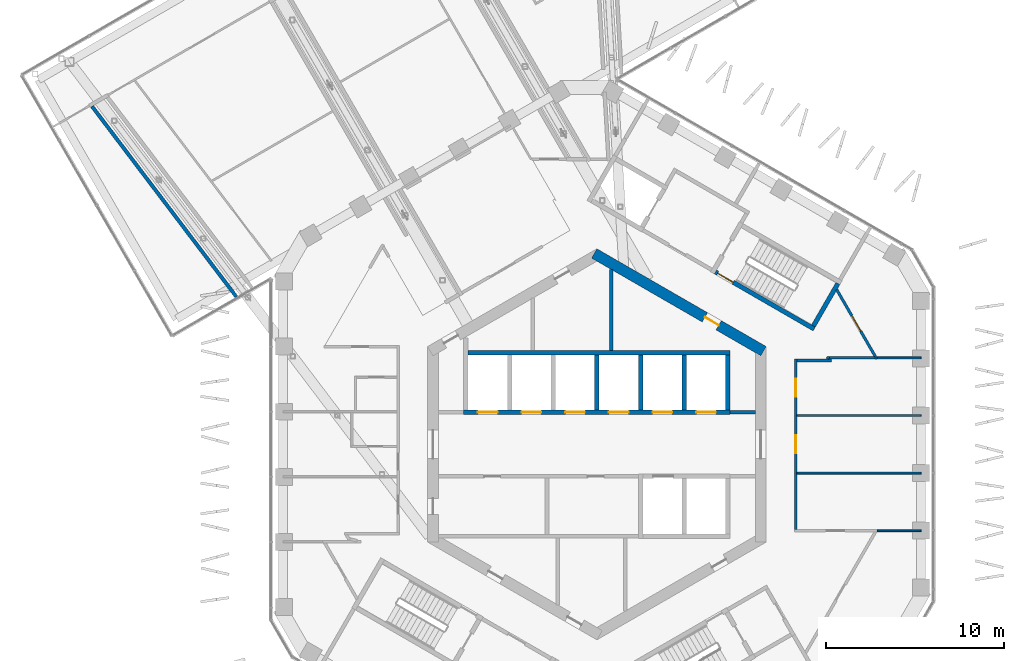
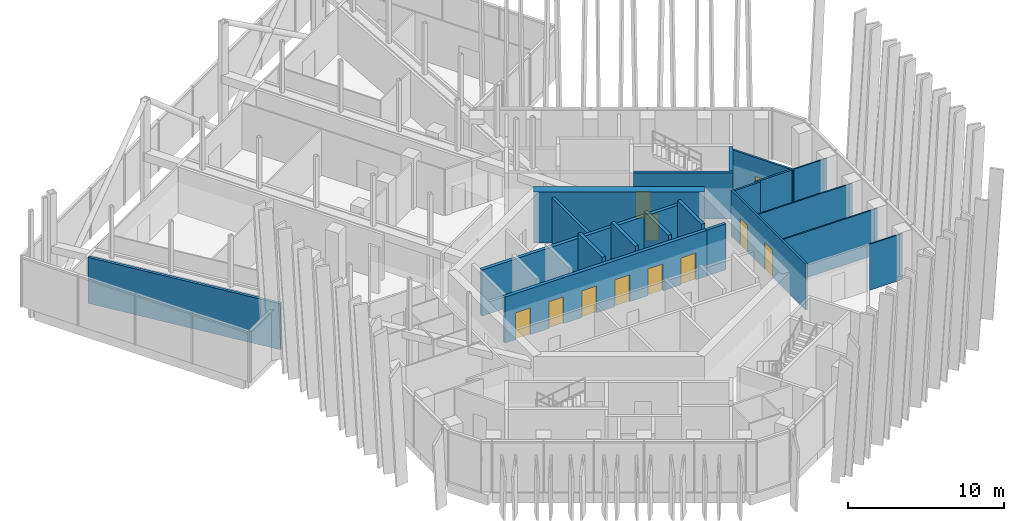
# One storey, part 20 of 29: 21 walls, 11 doors, 11 openings.
"""IFC4 building model written with IfcOpenShell, lengths in metres."""

from ifc_helpers import new_model, si_unit, direction, frame, frame_2d, origin, place, context, subcontext, project, spatial, rectangle, extrude, material, layer, layer_set, type_object, element, fill, save


model = new_model("IFC4")

# Units and contexts
model_context = context("Model", 3, precision=1e-05, world=origin(), true_north=direction((0.0, 1.0)))
body_context = subcontext(model_context, "Body", "Model", "MODEL_VIEW")
ifc_project = project(units=[si_unit("LENGTHUNIT", "METRE"), si_unit("AREAUNIT", "SQUARE_METRE"), si_unit("VOLUMEUNIT", "CUBIC_METRE"), si_unit("PLANEANGLEUNIT", "RADIAN"), si_unit("MASSUNIT", "GRAM", prefix="KILO")], contexts=[model_context])

# Site, building, storey
site_placement = place(None, origin())
site = spatial("IfcSite", under=ifc_project, at=site_placement, CompositionType="ELEMENT")
building_placement = place(site_placement, origin())
building = spatial("IfcBuilding", under=site, at=building_placement, Name="Ayvan Gate Tower", CompositionType="ELEMENT")
storey_placement = place(building_placement, frame((0.0, 0.0, 186.699951171875)))
storey = spatial("IfcBuildingStorey", under=building, at=storey_placement, Name="L50", CompositionType="ELEMENT", Elevation=186.699951171875)

# Wall, opening, door
ifc_material_1 = material(Name="Concrete C60/75", Category="concrete")
ifc_layer_1 = layer(ifc_material_1, 0.60009765625)
ifc_layer_set_1 = layer_set([ifc_layer_1], Name="Concrete C60/75")
wall_type_1 = type_object("IfcWallType", Name="Core wall 600 C60/75", PredefinedType="SHEAR", material=ifc_layer_set_1)
wall_1_placement = place(storey_placement, frame((9.35009765625, 5.22509765625, 0.0), z_axis=(0.0, 0.0, 1.0), x_axis=(-0.866023993627, 0.500002442456, 0.0)))
wall_1 = element("IfcWall", 1, at=wall_1_placement, inside=storey, type_object=wall_type_1, Name="CORE-L50-1", PredefinedType="SHEAR", context=body_context, shape_type="SweptSolid", body=[
    extrude(rectangle(XDim=10.9697265625, YDim=0.60009765625, at=frame_2d((5.48486328125, 0.0))), origin(), (0.0, 0.0, 1.0), 4.0),
])
opening_1_placement = place(wall_1_placement, frame((2.90380859375, 0.0, 0.0)))
opening_1 = element("IfcOpeningElement", 2, at=opening_1_placement, cuts=wall_1, Name="Opening L50-D50", PredefinedType="OPENING", context=body_context, shape_type="SweptSolid", body=[
    extrude(rectangle(XDim=0.89990234375, YDim=2.10009765625, at=frame_2d((0.449951171875, 1.050048828125))), frame((0.0, 0.31005859375, 0.0), z_axis=(0.0, -1.0, 0.0), x_axis=(1.0, 0.0, 0.0)), (0.0, 0.0, 1.0), 0.6201171875),
])
ifc_material_2 = material(Name="Timber door leaf", Category="wood")
door_type_1 = type_object("IfcDoorType", Name="DT-900", OperationType="NOTDEFINED", PredefinedType="DOOR", material=ifc_material_2)
door_1_placement = place(opening_1_placement, origin())
door_1 = element("IfcDoor", 3, at=door_1_placement, inside=storey, type_object=door_type_1, Name="CD-L50-50", OperationType="SINGLE_SWING_RIGHT", OverallHeight=2.10009765625, OverallWidth=0.89990234375, PredefinedType="DOOR", context=body_context, shape_type="SweptSolid", body=[
    extrude(rectangle(XDim=0.89990234375, YDim=2.10009765625, at=frame_2d((0.449951171875, 1.050048828125))), frame((0.0, 0.02490234375, 0.0), z_axis=(0.0, -1.0, 0.0), x_axis=(1.0, 0.0, 0.0)), (0.0, 0.0, 1.0), 0.050048828125),
])
fill(opening_1, door_1)

# Wall, openings, doors
ifc_material_3 = material(Name="Plasterboard on steel stud", Category="steel")
ifc_layer_2 = layer(ifc_material_3, 0.14990234375)
ifc_layer_set_2 = layer_set([ifc_layer_2], Name="Plasterboard on steel stud")
wall_type_2 = type_object("IfcWallType", Name="WT-CORR-150", PredefinedType="PARTITIONING", material=ifc_layer_set_2)
wall_2_placement = place(storey_placement, frame((11.14990234375, -4.774658203125, 0.0), z_axis=(0.0, 0.0, 1.0), x_axis=(0.0, 1.0, 0.0)))
wall_2 = element("IfcWall", 4, at=wall_2_placement, inside=storey, type_object=wall_type_2, Name="IW-L50-119", PredefinedType="PARTITIONING", context=body_context, shape_type="SweptSolid", body=[
    extrude(rectangle(XDim=9.54931640625, YDim=0.14990234375, at=frame_2d((4.774658203125, 0.0))), origin(), (0.0, 0.0, 1.0), 3.60009765625),
])
opening_2_placement = place(wall_2_placement, frame((4.274658203125, 0.0, 0.0)))
opening_2 = element("IfcOpeningElement", 5, at=opening_2_placement, cuts=wall_2, Name="Opening L50-D22", PredefinedType="OPENING", context=body_context, shape_type="SweptSolid", body=[
    extrude(rectangle(XDim=1.0, YDim=2.10009765625, at=frame_2d((0.5, 1.050048828125))), frame((0.0, 0.0849609375, 0.0), z_axis=(0.0, -1.0, 0.0), x_axis=(1.0, 0.0, 0.0)), (0.0, 0.0, 1.0), 0.169921875),
])
opening_3_placement = place(wall_2_placement, frame((7.44775390625, 0.0, 0.0)))
opening_3 = element("IfcOpeningElement", 6, at=opening_3_placement, cuts=wall_2, Name="Opening L50-D23", PredefinedType="OPENING", context=body_context, shape_type="SweptSolid", body=[
    extrude(rectangle(XDim=1.0, YDim=2.10009765625, at=frame_2d((0.5, 1.050048828125))), frame((0.0, 0.0849609375, 0.0), z_axis=(0.0, -1.0, 0.0), x_axis=(1.0, 0.0, 0.0)), (0.0, 0.0, 1.0), 0.169921875),
])
door_type_2 = type_object("IfcDoorType", Name="DT-1000", OperationType="NOTDEFINED", PredefinedType="DOOR", material=ifc_material_2)
door_2_placement = place(opening_2_placement, origin())
door_2 = element("IfcDoor", 7, at=door_2_placement, inside=storey, type_object=door_type_2, Name="ID-L50-022", OperationType="SINGLE_SWING_RIGHT", OverallHeight=2.10009765625, OverallWidth=1.0, PredefinedType="DOOR", context=body_context, shape_type="SweptSolid", body=[
    extrude(rectangle(XDim=1.0, YDim=2.10009765625, at=frame_2d((0.5, 1.050048828125))), frame((0.0, 0.02490234375, 0.0), z_axis=(0.0, -1.0, 0.0), x_axis=(1.0, 0.0, 0.0)), (0.0, 0.0, 1.0), 0.050048828125),
])
fill(opening_2, door_2)
door_3_placement = place(opening_3_placement, origin())
door_3 = element("IfcDoor", 8, at=door_3_placement, inside=storey, type_object=door_type_2, Name="ID-L50-023", OperationType="SINGLE_SWING_LEFT", OverallHeight=2.10009765625, OverallWidth=1.0, PredefinedType="DOOR", context=body_context, shape_type="SweptSolid", body=[
    extrude(rectangle(XDim=1.0, YDim=2.10009765625, at=frame_2d((0.5, 1.050048828125))), frame((0.0, 0.02490234375, 0.0), z_axis=(0.0, -1.0, 0.0), x_axis=(1.0, 0.0, 0.0)), (0.0, 0.0, 1.0), 0.050048828125),
])
fill(opening_3, door_3)

# Walls
wall_3_placement = place(storey_placement, frame((12.8896484375, 4.8681640625, 0.0), z_axis=(0.0, 0.0, 1.0), x_axis=(0.96886718516, -0.247581052426, 0.0)))
element("IfcWall", 9, at=wall_3_placement, inside=storey, type_object=wall_type_2, Name="IW-L50-122", PredefinedType="PARTITIONING", context=body_context, shape_type="SweptSolid", body=[
    extrude(rectangle(XDim=0.14794921875, YDim=0.14990234375, at=frame_2d((0.073974609375, 0.0))), origin(), (0.0, 0.0, 1.0), 3.60009765625),
])
wall_4_placement = place(storey_placement, frame((13.16650390625, 4.69970703125, 0.0), z_axis=(0.0, 0.0, 1.0), x_axis=(-1.0, 0.0, 0.0)))
element("IfcWall", 10, at=wall_4_placement, inside=storey, type_object=wall_type_2, Name="IW-L50-123", PredefinedType="PARTITIONING", context=body_context, shape_type="SweptSolid", body=[
    extrude(rectangle(XDim=1.94140625, YDim=0.14990234375, at=frame_2d((0.970703125, 0.0))), origin(), (0.0, 0.0, 1.0), 3.60009765625),
])

# Wall, opening, door
wall_5_placement = place(storey_placement, frame((13.453125, 8.68505859375, 0.0), z_axis=(0.0, 0.0, 1.0), x_axis=(0.50001024923, -0.866019486308, 0.0)))
wall_5 = element("IfcWall", 11, at=wall_5_placement, inside=storey, type_object=wall_type_2, Name="IW-L50-125", PredefinedType="PARTITIONING", context=body_context, shape_type="SweptSolid", body=[
    extrude(rectangle(XDim=4.50390625, YDim=0.14990234375, at=frame_2d((2.251953125, 0.0))), origin(), (0.0, 0.0, 1.0), 3.60009765625),
])
opening_4_placement = place(wall_5_placement, frame((1.697021484375, 0.0, 0.0)))
opening_4 = element("IfcOpeningElement", 12, at=opening_4_placement, cuts=wall_5, Name="Opening L50-D24", PredefinedType="OPENING", context=body_context, shape_type="SweptSolid", body=[
    extrude(rectangle(XDim=1.0, YDim=2.10009765625, at=frame_2d((0.5, 1.050048828125))), frame((0.0, 0.0849609375, 0.0), z_axis=(0.0, -1.0, 0.0), x_axis=(1.0, 0.0, 0.0)), (0.0, 0.0, 1.0), 0.169921875),
])
door_4_placement = place(opening_4_placement, origin())
door_4 = element("IfcDoor", 13, at=door_4_placement, inside=storey, type_object=door_type_2, Name="ID-L50-024", OperationType="SINGLE_SWING_RIGHT", OverallHeight=2.10009765625, OverallWidth=1.0, PredefinedType="DOOR", context=body_context, shape_type="SweptSolid", body=[
    extrude(rectangle(XDim=1.0, YDim=2.10009765625, at=frame_2d((0.5, 1.050048828125))), frame((0.0, 0.02490234375, 0.0), z_axis=(0.0, -1.0, 0.0), x_axis=(1.0, 0.0, 0.0)), (0.0, 0.0, 1.0), 0.050048828125),
])
fill(opening_4, door_4)

# Walls
wall_6_placement = place(storey_placement, frame((15.592529296875, 4.849609375, 0.0), z_axis=(0.0, 0.0, 1.0), x_axis=(-1.0, 0.0, 0.0)))
element("IfcWall", 14, at=wall_6_placement, inside=storey, type_object=wall_type_2, Name="IW-L50-128", PredefinedType="PARTITIONING", context=body_context, shape_type="SweptSolid", body=[
    extrude(rectangle(XDim=2.555419921875, YDim=0.14990234375, at=frame_2d((1.27783203125, 0.0))), origin(), (0.0, 0.0, 1.0), 3.60009765625),
])
ifc_layer_3 = layer(ifc_material_3, 0.10009765625)
ifc_layer_set_3 = layer_set([ifc_layer_3], Name="Plasterboard on steel stud")
wall_type_3 = type_object("IfcWallType", Name="WT-PART-100", PredefinedType="PARTITIONING", material=ifc_layer_set_3)
for number, where, z_axis, x_axis, name in (
    (15, (11.22509765625, -1.616455078125, 0.0), (0.0, 0.0, 1.0), (1.0, 0.0, 0.0), "IW-L50-118"),
    (16, (11.22509765625, 1.616455078125, 0.0), (0.0, 0.0, 1.0), (1.0, 0.0, 0.0), "IW-L50-120"),
):
    element("IfcWall", number, at=place(storey_placement, frame(where, z_axis=z_axis, x_axis=x_axis)), inside=storey, type_object=wall_type_3, Name=name, PredefinedType="PARTITIONING", context=body_context, shape_type="SweptSolid", body=[
        extrude(rectangle(XDim=6.96142578125, YDim=0.10009765625, at=frame_2d((3.480712890625, 0.0))), origin(), (0.0, 0.0, 1.0), 3.60009765625),
    ])
for number, where, z_axis, x_axis, name in (
    (17, (15.742431640625, 4.849609375, 0.0), (0.0, 0.0, 1.0), (1.0, 0.0, 0.0), "IW-L50-129"),
    (18, (18.1865234375, -4.849609375, 0.0), (0.0, 0.0, 1.0), (-1.0, 0.0, 0.0), "IW-L50-131"),
):
    element("IfcWall", number, at=place(storey_placement, frame(where, z_axis=z_axis, x_axis=x_axis)), inside=storey, type_object=wall_type_3, Name=name, PredefinedType="PARTITIONING", context=body_context, shape_type="SweptSolid", body=[
        extrude(rectangle(XDim=2.444091796875, YDim=0.10009765625, at=frame_2d((1.22216796875, 0.0))), origin(), (0.0, 0.0, 1.0), 3.60009765625),
    ])
ifc_layer_4 = layer(ifc_material_3, 0.199951171875)
ifc_layer_set_4 = layer_set([ifc_layer_4], Name="Plasterboard on steel stud")
wall_type_4 = type_object("IfcWallType", Name="WT-PLUMB-200", PredefinedType="PLUMBINGWALL", material=ifc_layer_set_4)
wall_7_placement = place(storey_placement, frame((-20.234130859375, 8.2822265625, 0.0), z_axis=(0.0, 0.0, 1.0), x_axis=(-0.60402881465, 0.796962477832, 0.0)))
element("IfcWall", 19, at=wall_7_placement, inside=storey, type_object=wall_type_4, Name="IW-L50-006", PredefinedType="PLUMBINGWALL", context=body_context, shape_type="SweptSolid", body=[
    extrude(rectangle(XDim=13.4033203125, YDim=0.199951171875, at=frame_2d((6.70166015625, 0.0))), origin(), (0.0, 0.0, 1.0), 3.60009765625),
])
ifc_layer_5 = layer(ifc_material_3, 0.199951171875)
ifc_layer_set_5 = layer_set([ifc_layer_5], Name="Plasterboard on steel stud")
wall_type_5 = type_object("IfcWallType", Name="WT-RATED-200", PredefinedType="PARTITIONING", material=ifc_layer_set_5)
wall_8_placement = place(storey_placement, frame((0.800048828125, 9.81494140625, 0.0), z_axis=(0.0, 0.0, 1.0), x_axis=(0.0, -1.0, 0.0)))
element("IfcWall", 20, at=wall_8_placement, inside=storey, type_object=wall_type_5, Name="IW-L50-079", PredefinedType="PARTITIONING", context=body_context, shape_type="SweptSolid", body=[
    extrude(rectangle(XDim=4.5400390625, YDim=0.199951171875, at=frame_2d((2.27001953125, 0.0))), origin(), (0.0, 0.0, 1.0), 3.60009765625),
])
wall_9_placement = place(storey_placement, frame((7.474853515625, 1.800048828125, 0.0), z_axis=(0.0, 0.0, 1.0), x_axis=(1.0, 0.0, 0.0)))
element("IfcWall", 21, at=wall_9_placement, inside=storey, type_object=wall_type_5, Name="IW-L50-107", PredefinedType="PARTITIONING", context=body_context, shape_type="SweptSolid", body=[
    extrude(rectangle(XDim=1.425048828125, YDim=0.199951171875, at=frame_2d((0.71240234375, 0.0))), origin(), (0.0, 0.0, 1.0), 3.60009765625),
])

# Wall, openings, doors
ifc_material_4 = material(Name="Concrete C50/60", Category="concrete")
ifc_layer_6 = layer(ifc_material_4, 0.25)
ifc_layer_set_6 = layer_set([ifc_layer_6], Name="Concrete C50/60")
wall_type_6 = type_object("IfcWallType", Name="WT-RC-250", PredefinedType="SHEAR", material=ifc_layer_set_6)
wall_10_placement = place(storey_placement, frame((-7.47509765625, 1.800048828125, 0.0), z_axis=(0.0, 0.0, 1.0), x_axis=(1.0, 0.0, 0.0)))
wall_10 = element("IfcWall", 22, at=wall_10_placement, inside=storey, type_object=wall_type_6, Name="IW-L50-044", PredefinedType="SHEAR", context=body_context, shape_type="SweptSolid", body=[
    extrude(rectangle(XDim=14.9501953125, YDim=0.25, at=frame_2d((7.47509765625, 0.0))), origin(), (0.0, 0.0, 1.0), 3.60009765625),
])
opening_5_placement = place(wall_10_placement, frame((0.800048828125, 0.0, 0.0)))
opening_5 = element("IfcOpeningElement", 23, at=opening_5_placement, cuts=wall_10, Name="Opening L50-LD-HR1", PredefinedType="OPENING", context=body_context, shape_type="SweptSolid", body=[
    extrude(rectangle(XDim=1.10009765625, YDim=2.10009765625, at=frame_2d((0.550048828125, 1.050048828125))), frame((0.0, 0.135009765625, 0.0), z_axis=(0.0, -1.0, 0.0), x_axis=(1.0, 0.0, 0.0)), (0.0, 0.0, 1.0), 0.27001953125),
])
opening_6_placement = place(wall_10_placement, frame((3.25, 0.0, 0.0)))
opening_6 = element("IfcOpeningElement", 24, at=opening_6_placement, cuts=wall_10, Name="Opening L50-LD-HR2", PredefinedType="OPENING", context=body_context, shape_type="SweptSolid", body=[
    extrude(rectangle(XDim=1.10009765625, YDim=2.10009765625, at=frame_2d((0.550048828125, 1.050048828125))), frame((0.0, 0.135009765625, 0.0), z_axis=(0.0, -1.0, 0.0), x_axis=(1.0, 0.0, 0.0)), (0.0, 0.0, 1.0), 0.27001953125),
])
opening_7_placement = place(wall_10_placement, frame((5.7001953125, 0.0, 0.0)))
opening_7 = element("IfcOpeningElement", 25, at=opening_7_placement, cuts=wall_10, Name="Opening L50-LD-HR3", PredefinedType="OPENING", context=body_context, shape_type="SweptSolid", body=[
    extrude(rectangle(XDim=1.10009765625, YDim=2.10009765625, at=frame_2d((0.550048828125, 1.050048828125))), frame((0.0, 0.135009765625, 0.0), z_axis=(0.0, -1.0, 0.0), x_axis=(1.0, 0.0, 0.0)), (0.0, 0.0, 1.0), 0.27001953125),
])
opening_8_placement = place(wall_10_placement, frame((8.150146484375, 0.0, 0.0)))
opening_8 = element("IfcOpeningElement", 26, at=opening_8_placement, cuts=wall_10, Name="Opening L50-LD-HR4", PredefinedType="OPENING", context=body_context, shape_type="SweptSolid", body=[
    extrude(rectangle(XDim=1.10009765625, YDim=2.10009765625, at=frame_2d((0.550048828125, 1.050048828125))), frame((0.0, 0.135009765625, 0.0), z_axis=(0.0, -1.0, 0.0), x_axis=(1.0, 0.0, 0.0)), (0.0, 0.0, 1.0), 0.27001953125),
])
opening_9_placement = place(wall_10_placement, frame((10.60009765625, 0.0, 0.0)))
opening_9 = element("IfcOpeningElement", 27, at=opening_9_placement, cuts=wall_10, Name="Opening L50-LD-HR5", PredefinedType="OPENING", context=body_context, shape_type="SweptSolid", body=[
    extrude(rectangle(XDim=1.10009765625, YDim=2.10009765625, at=frame_2d((0.550048828125, 1.050048828125))), frame((0.0, 0.135009765625, 0.0), z_axis=(0.0, -1.0, 0.0), x_axis=(1.0, 0.0, 0.0)), (0.0, 0.0, 1.0), 0.27001953125),
])
opening_10_placement = place(wall_10_placement, frame((13.050048828125, 0.0, 0.0)))
opening_10 = element("IfcOpeningElement", 28, at=opening_10_placement, cuts=wall_10, Name="Opening L50-LD-HR6", PredefinedType="OPENING", context=body_context, shape_type="SweptSolid", body=[
    extrude(rectangle(XDim=1.10009765625, YDim=2.10009765625, at=frame_2d((0.550048828125, 1.050048828125))), frame((0.0, 0.135009765625, 0.0), z_axis=(0.0, -1.0, 0.0), x_axis=(1.0, 0.0, 0.0)), (0.0, 0.0, 1.0), 0.27001953125),
])
ifc_material_5 = material(Name="Stainless steel landing door", Category="steel")
door_type_3 = type_object("IfcDoorType", Name="DT-LANDING-1100", OperationType="SLIDING_TO_LEFT", PredefinedType="DOOR", material=ifc_material_5)
door_5_placement = place(opening_5_placement, origin())
door_5 = element("IfcDoor", 29, at=door_5_placement, inside=storey, type_object=door_type_3, Name="ID-L50-001", OperationType="SLIDING_TO_LEFT", OverallHeight=2.10009765625, OverallWidth=1.10009765625, PredefinedType="DOOR", context=body_context, shape_type="SweptSolid", body=[
    extrude(rectangle(XDim=1.10009765625, YDim=2.10009765625, at=frame_2d((0.550048828125, 1.050048828125))), frame((0.0, 0.02490234375, 0.0), z_axis=(0.0, -1.0, 0.0), x_axis=(1.0, 0.0, 0.0)), (0.0, 0.0, 1.0), 0.050048828125),
])
fill(opening_5, door_5)
door_6_placement = place(opening_6_placement, origin())
door_6 = element("IfcDoor", 30, at=door_6_placement, inside=storey, type_object=door_type_3, Name="ID-L50-002", OperationType="SLIDING_TO_LEFT", OverallHeight=2.10009765625, OverallWidth=1.10009765625, PredefinedType="DOOR", context=body_context, shape_type="SweptSolid", body=[
    extrude(rectangle(XDim=1.10009765625, YDim=2.10009765625, at=frame_2d((0.550048828125, 1.050048828125))), frame((0.0, 0.02490234375, 0.0), z_axis=(0.0, -1.0, 0.0), x_axis=(1.0, 0.0, 0.0)), (0.0, 0.0, 1.0), 0.050048828125),
])
fill(opening_6, door_6)
door_7_placement = place(opening_7_placement, origin())
door_7 = element("IfcDoor", 31, at=door_7_placement, inside=storey, type_object=door_type_3, Name="ID-L50-003", OperationType="SLIDING_TO_LEFT", OverallHeight=2.10009765625, OverallWidth=1.10009765625, PredefinedType="DOOR", context=body_context, shape_type="SweptSolid", body=[
    extrude(rectangle(XDim=1.10009765625, YDim=2.10009765625, at=frame_2d((0.550048828125, 1.050048828125))), frame((0.0, 0.02490234375, 0.0), z_axis=(0.0, -1.0, 0.0), x_axis=(1.0, 0.0, 0.0)), (0.0, 0.0, 1.0), 0.050048828125),
])
fill(opening_7, door_7)
door_8_placement = place(opening_8_placement, origin())
door_8 = element("IfcDoor", 32, at=door_8_placement, inside=storey, type_object=door_type_3, Name="ID-L50-004", OperationType="SLIDING_TO_LEFT", OverallHeight=2.10009765625, OverallWidth=1.10009765625, PredefinedType="DOOR", context=body_context, shape_type="SweptSolid", body=[
    extrude(rectangle(XDim=1.10009765625, YDim=2.10009765625, at=frame_2d((0.550048828125, 1.050048828125))), frame((0.0, 0.02490234375, 0.0), z_axis=(0.0, -1.0, 0.0), x_axis=(1.0, 0.0, 0.0)), (0.0, 0.0, 1.0), 0.050048828125),
])
fill(opening_8, door_8)
door_9_placement = place(opening_9_placement, origin())
door_9 = element("IfcDoor", 33, at=door_9_placement, inside=storey, type_object=door_type_3, Name="ID-L50-005", OperationType="SLIDING_TO_LEFT", OverallHeight=2.10009765625, OverallWidth=1.10009765625, PredefinedType="DOOR", context=body_context, shape_type="SweptSolid", body=[
    extrude(rectangle(XDim=1.10009765625, YDim=2.10009765625, at=frame_2d((0.550048828125, 1.050048828125))), frame((0.0, 0.02490234375, 0.0), z_axis=(0.0, -1.0, 0.0), x_axis=(1.0, 0.0, 0.0)), (0.0, 0.0, 1.0), 0.050048828125),
])
fill(opening_9, door_9)
door_10_placement = place(opening_10_placement, origin())
door_10 = element("IfcDoor", 34, at=door_10_placement, inside=storey, type_object=door_type_3, Name="ID-L50-006", OperationType="SLIDING_TO_LEFT", OverallHeight=2.10009765625, OverallWidth=1.10009765625, PredefinedType="DOOR", context=body_context, shape_type="SweptSolid", body=[
    extrude(rectangle(XDim=1.10009765625, YDim=2.10009765625, at=frame_2d((0.550048828125, 1.050048828125))), frame((0.0, 0.02490234375, 0.0), z_axis=(0.0, -1.0, 0.0), x_axis=(1.0, 0.0, 0.0)), (0.0, 0.0, 1.0), 0.050048828125),
])
fill(opening_10, door_10)

# Walls
wall_11_placement = place(storey_placement, frame((-7.22509765625, 5.14990234375, 0.0), z_axis=(0.0, 0.0, 1.0), x_axis=(1.0, 0.0, 0.0)))
element("IfcWall", 35, at=wall_11_placement, inside=storey, type_object=wall_type_6, Name="IW-L50-046", PredefinedType="SHEAR", context=body_context, shape_type="SweptSolid", body=[
    extrude(rectangle(XDim=14.7001953125, YDim=0.25, at=frame_2d((7.35009765625, 0.0))), origin(), (0.0, 0.0, 1.0), 3.60009765625),
])
for number, where, z_axis, x_axis, name in (
    (36, (0.0, 5.02490234375, 0.0), (0.0, 0.0, 1.0), (0.0, -1.0, 0.0), "IW-L50-072"),
    (37, (2.449951171875, 5.02490234375, 0.0), (0.0, 0.0, 1.0), (0.0, -1.0, 0.0), "IW-L50-089"),
    (38, (4.89990234375, 5.02490234375, 0.0), (0.0, 0.0, 1.0), (0.0, -1.0, 0.0), "IW-L50-099"),
    (39, (7.35009765625, 5.02490234375, 0.0), (0.0, 0.0, 1.0), (0.0, -1.0, 0.0), "IW-L50-109"),
):
    element("IfcWall", number, at=place(storey_placement, frame(where, z_axis=z_axis, x_axis=x_axis)), inside=storey, type_object=wall_type_6, Name=name, PredefinedType="SHEAR", context=body_context, shape_type="SweptSolid", body=[
        extrude(rectangle(XDim=3.099853515625, YDim=0.25, at=frame_2d((1.5498046875, 0.0))), origin(), (0.0, 0.0, 1.0), 4.0),
    ])

# Wall, opening, door
wall_12_placement = place(storey_placement, frame((12.193603515625, 6.469970703125, 0.0), z_axis=(0.0, 0.0, 1.0), x_axis=(-0.866025499775, 0.499999833739, 0.0)))
wall_12 = element("IfcWall", 40, at=wall_12_placement, inside=storey, type_object=wall_type_6, Name="IW-L50-121", PredefinedType="SHEAR", context=body_context, shape_type="SweptSolid", body=[
    extrude(rectangle(XDim=6.39990234375, YDim=0.25, at=frame_2d((3.199951171875, 0.0))), origin(), (0.0, 0.0, 1.0), 3.60009765625),
])
opening_11_placement = place(wall_12_placement, frame((5.25, 0.0, 0.0)))
opening_11 = element("IfcOpeningElement", 41, at=opening_11_placement, cuts=wall_12, Name="Opening L50-D10", PredefinedType="OPENING", context=body_context, shape_type="SweptSolid", body=[
    extrude(rectangle(XDim=1.0, YDim=2.10009765625, at=frame_2d((0.5, 1.050048828125))), frame((0.0, 0.135009765625, 0.0), z_axis=(0.0, -1.0, 0.0), x_axis=(1.0, 0.0, 0.0)), (0.0, 0.0, 1.0), 0.27001953125),
])
door_11_placement = place(opening_11_placement, origin())
door_11 = element("IfcDoor", 42, at=door_11_placement, inside=storey, type_object=door_type_2, Name="ID-L50-010", OperationType="SINGLE_SWING_RIGHT", OverallHeight=2.10009765625, OverallWidth=1.0, PredefinedType="DOOR", context=body_context, shape_type="SweptSolid", body=[
    extrude(rectangle(XDim=1.0, YDim=2.10009765625, at=frame_2d((0.5, 1.050048828125))), frame((0.0, 0.02490234375, 0.0), z_axis=(0.0, -1.0, 0.0), x_axis=(1.0, 0.0, 0.0)), (0.0, 0.0, 1.0), 0.050048828125),
])
fill(opening_11, door_11)

# Wall
wall_13_placement = place(storey_placement, frame((12.14794921875, 6.640869140625, 0.0), z_axis=(0.0, 0.0, 1.0), x_axis=(0.500034990121, 0.866005201286, 0.0)))
element("IfcWall", 43, at=wall_13_placement, inside=storey, type_object=wall_type_6, Name="IW-L50-126", PredefinedType="SHEAR", context=body_context, shape_type="SweptSolid", body=[
    extrude(rectangle(XDim=2.749755859375, YDim=0.25, at=frame_2d((1.375, 0.0))), origin(), (0.0, 0.0, 1.0), 3.60009765625),
])

save(model, "model.ifc")
